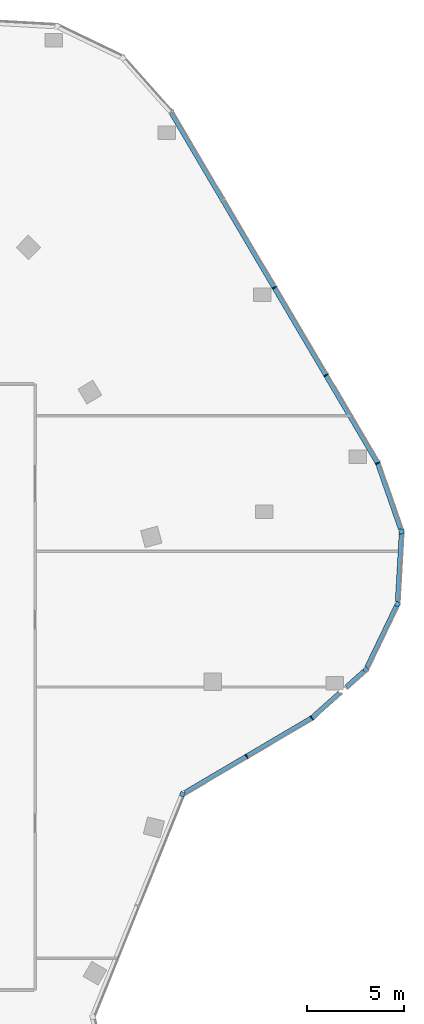
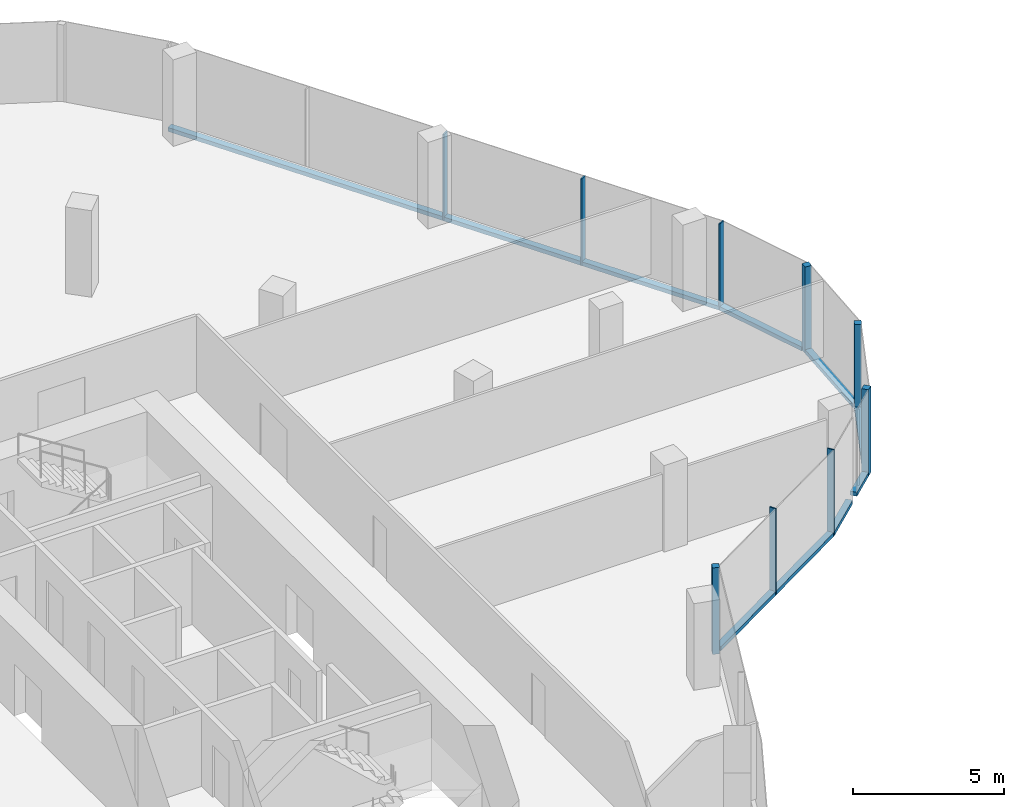
# One storey, part 7 of 15: 16 members, 7 elements without a shape of their own.
"""IFC4 building model written with IfcOpenShell, lengths in metres."""

from ifc_helpers import new_model, si_unit, direction, frame, origin, origin_2d, place, context, subcontext, project, spatial, rectangle, extrude, material, material_profile, profile_set, type_object, element, aggregate, save


model = new_model("IFC4")

# Units and contexts
model_context = context("Model", 3, precision=1e-05, world=origin(), true_north=direction((0.0, 1.0)))
body_context = subcontext(model_context, "Body", "Model", "MODEL_VIEW")
ifc_project = project(units=[si_unit("LENGTHUNIT", "METRE"), si_unit("AREAUNIT", "SQUARE_METRE"), si_unit("VOLUMEUNIT", "CUBIC_METRE"), si_unit("PLANEANGLEUNIT", "RADIAN"), si_unit("MASSUNIT", "GRAM", prefix="KILO")], contexts=[model_context])

# Site, building, storey
site_placement = place(None, origin())
site = spatial("IfcSite", under=ifc_project, at=site_placement, CompositionType="ELEMENT")
building_placement = place(site_placement, origin())
building = spatial("IfcBuilding", under=site, at=building_placement, Name="Orlundy Tower", CompositionType="ELEMENT")
storey_placement = place(building_placement, frame((0.0, 0.0, 278.89990234375)))
storey = spatial("IfcBuildingStorey", under=building, at=storey_placement, Name="L74", CompositionType="ELEMENT", Elevation=278.89990234375)

# Curtain wall, member
ifc_material_1 = material(Name="Aluminium bronze anodised", Category="aluminium")
curtain_wall_type = type_object("IfcCurtainWallType", Name="CW6 wall", PredefinedType="NOTDEFINED", material=ifc_material_1)
curtain_wall_1_placement = place(storey_placement, origin())
curtain_wall_1 = element("IfcCurtainWall", 1, at=curtain_wall_1_placement, inside=storey, type_object=curtain_wall_type, Name="CW6 run 01", PredefinedType="NOTDEFINED")
ifc_material_2 = material(Name="Aluminium bronze anodised", Category="aluminium")
ifc_material_profile_1 = material_profile(ifc_material_2, rectangle(XDim=0.239990234375, YDim=0.239990234375, at=origin_2d()), Name="CW6 corner post 240x240")
ifc_profile_set_1 = profile_set([ifc_material_profile_1], Name="Aluminium bronze anodised")
member_type_1 = type_object("IfcMemberType", Name="CW6 corner post 240x240", PredefinedType="MULLION", material=ifc_profile_set_1)
member_1_placement = place(storey_placement, frame((30.25, -5.53271484375, -0.39990234375), z_axis=(0.0, 0.0, 1.0), x_axis=(0.927195304229, -0.37457825326, 0.0)))
member_1 = element("IfcMember", 2, at=member_1_placement, type_object=member_type_1, Name="CW6 mullion 3", PredefinedType="MULLION", context=body_context, shape_type="SweptSolid", body=[
    extrude(rectangle(XDim=0.239990234375, YDim=0.239990234375, at=origin_2d()), origin(), (0.0, 0.0, 1.0), 3.5),
])
aggregate(curtain_wall_1, [member_1])

curtain_wall_2_placement = place(storey_placement, origin())
curtain_wall_2 = element("IfcCurtainWall", 3, at=curtain_wall_2_placement, inside=storey, type_object=curtain_wall_type, Name="CW6 run 025", PredefinedType="NOTDEFINED")
member_2_placement = place(storey_placement, frame((41.568115234375, 8.026123046875, -0.39990234375), z_axis=(0.0, 0.0, 1.0), x_axis=(0.998394082315, -0.056650299193, 0.0)))
member_2 = element("IfcMember", 4, at=member_2_placement, type_object=member_type_1, Name="CW6 mullion 50", PredefinedType="MULLION", context=body_context, shape_type="SweptSolid", body=[
    extrude(rectangle(XDim=0.239990234375, YDim=0.239990234375, at=origin_2d()), origin(), (0.0, 0.0, 1.0), 3.5),
])

curtain_wall_3_placement = place(storey_placement, origin())
curtain_wall_3 = element("IfcCurtainWall", 5, at=curtain_wall_3_placement, inside=storey, type_object=curtain_wall_type, Name="CW6 run 026", PredefinedType="NOTDEFINED")
member_3_placement = place(storey_placement, frame((41.35546875, 4.27734375, -0.39990234375), z_axis=(0.0, 0.0, 1.0), x_axis=(0.900755489188, -0.434326546158, 0.0)))
member_3 = element("IfcMember", 6, at=member_3_placement, type_object=member_type_1, Name="CW6 mullion 51", PredefinedType="MULLION", context=body_context, shape_type="SweptSolid", body=[
    extrude(rectangle(XDim=0.239990234375, YDim=0.239990234375, at=origin_2d()), origin(), (0.0, 0.0, 1.0), 3.5),
])

curtain_wall_4_placement = place(storey_placement, origin())
curtain_wall_4 = element("IfcCurtainWall", 7, at=curtain_wall_4_placement, inside=storey, type_object=curtain_wall_type, Name="CW6 run 027", PredefinedType="NOTDEFINED")
member_4_placement = place(storey_placement, frame((39.724609375, 0.895263671875, -0.39990234375), z_axis=(0.0, 0.0, 1.0), x_axis=(0.665769138425, -0.746157794518, 0.0)))
member_4 = element("IfcMember", 8, at=member_4_placement, type_object=member_type_1, Name="CW6 mullion 52", PredefinedType="MULLION", context=body_context, shape_type="SweptSolid", body=[
    extrude(rectangle(XDim=0.239990234375, YDim=0.239990234375, at=origin_2d()), origin(), (0.0, 0.0, 1.0), 3.5),
])

# Curtain wall, members
curtain_wall_5_placement = place(storey_placement, origin())
curtain_wall_5 = element("IfcCurtainWall", 9, at=curtain_wall_5_placement, inside=storey, type_object=curtain_wall_type, Name="CW6 run 00", PredefinedType="NOTDEFINED")
ifc_material_3 = material(Name="Aluminium bronze anodised", Category="aluminium")
ifc_material_profile_2 = material_profile(ifc_material_3, rectangle(XDim=0.239990234375, YDim=0.050048828125, at=origin_2d()), Name="CW6 mullion 50x240")
ifc_profile_set_2 = profile_set([ifc_material_profile_2], Name="Aluminium bronze anodised")
member_type_2 = type_object("IfcMemberType", Name="CW6 mullion 50x240", PredefinedType="MULLION", material=ifc_profile_set_2)
member_5_placement = place(storey_placement, frame((36.93212890625, -1.596435546875, -0.39990234375), z_axis=(0.0, 0.0, 1.0), x_axis=(0.58950023819, -0.807768202626, 0.0)))
member_5 = element("IfcMember", 10, at=member_5_placement, type_object=member_type_2, Name="CW6 mullion 1", PredefinedType="MULLION", context=body_context, shape_type="SweptSolid", body=[
    extrude(rectangle(XDim=0.239990234375, YDim=0.050048828125, at=origin_2d()), origin(), (0.0, 0.0, 1.0), 3.5),
])
member_6_placement = place(storey_placement, frame((33.568359375, -3.577880859375, -0.39990234375), z_axis=(0.0, 0.0, 1.0), x_axis=(0.507564597416, -0.861613706628, 0.0)))
member_6 = element("IfcMember", 11, at=member_6_placement, type_object=member_type_2, Name="CW6 mullion 2", PredefinedType="MULLION", context=body_context, shape_type="SweptSolid", body=[
    extrude(rectangle(XDim=0.239990234375, YDim=0.050048828125, at=origin_2d()), origin(), (0.0, 0.0, 1.0), 3.5),
])

curtain_wall_6_placement = place(storey_placement, origin())
curtain_wall_6 = element("IfcCurtainWall", 12, at=curtain_wall_6_placement, inside=storey, type_object=curtain_wall_type, Name="CW6 run 023", PredefinedType="NOTDEFINED")
member_7_placement = place(storey_placement, frame((34.99951171875, 20.615966796875, -0.39990234375), z_axis=(0.0, 0.0, 1.0), x_axis=(0.861632919827, 0.507531980737, 0.0)))
member_7 = element("IfcMember", 13, at=member_7_placement, type_object=member_type_2, Name="CW6 mullion 47", PredefinedType="MULLION", context=body_context, shape_type="SweptSolid", body=[
    extrude(rectangle(XDim=0.239990234375, YDim=0.050048828125, at=origin_2d()), origin(), (0.0, 0.0, 1.0), 3.5),
])
member_8_placement = place(storey_placement, frame((37.663818359375, 16.09228515625, -0.39990234375), z_axis=(0.0, 0.0, 1.0), x_axis=(0.861632919827, 0.507531980737, 0.0)))
member_8 = element("IfcMember", 14, at=member_8_placement, type_object=member_type_2, Name="CW6 mullion 48", PredefinedType="MULLION", context=body_context, shape_type="SweptSolid", body=[
    extrude(rectangle(XDim=0.239990234375, YDim=0.050048828125, at=origin_2d()), origin(), (0.0, 0.0, 1.0), 3.5),
])

# Curtain wall, member
curtain_wall_7_placement = place(storey_placement, origin())
curtain_wall_7 = element("IfcCurtainWall", 15, at=curtain_wall_7_placement, inside=storey, type_object=curtain_wall_type, Name="CW6 run 024", PredefinedType="NOTDEFINED")
member_9_placement = place(storey_placement, frame((40.33447265625, 11.558837890625, -0.39990234375), z_axis=(0.0, 0.0, 1.0), x_axis=(0.907224134583, 0.420647559877, 0.0)))
member_9 = element("IfcMember", 16, at=member_9_placement, type_object=member_type_2, Name="CW6 mullion 49", PredefinedType="MULLION", context=body_context, shape_type="SweptSolid", body=[
    extrude(rectangle(XDim=0.239990234375, YDim=0.050048828125, at=origin_2d()), origin(), (0.0, 0.0, 1.0), 3.5),
])

# Member
ifc_material_4 = material(Name="Aluminium bronze anodised", Category="aluminium")
ifc_material_profile_3 = material_profile(ifc_material_4, rectangle(XDim=0.239990234375, YDim=0.159912109375, at=origin_2d()), Name="CW6 transom 240x160")
ifc_profile_set_3 = profile_set([ifc_material_profile_3], Name="Aluminium bronze anodised")
member_type_3 = type_object("IfcMemberType", Name="CW6 transom 240x160", PredefinedType="USERDEFINED", material=ifc_profile_set_3)
member_10_placement = place(storey_placement, frame((36.910400390625, -1.609130859375, -0.31982421875), z_axis=(-0.861603620196, -0.507581719199, 0.0), x_axis=(0.507581719199, -0.861603620196, 0.0)))
member_10 = element("IfcMember", 17, at=member_10_placement, type_object=member_type_3, Name="CW6 transom", ObjectType="TRANSOM", PredefinedType="USERDEFINED", context=body_context, shape_type="SweptSolid", body=[
    extrude(rectangle(XDim=0.239990234375, YDim=0.159912109375, at=origin_2d()), origin(), (0.0, 0.0, 1.0), 7.578857421875),
])

aggregate(curtain_wall_5, [member_5, member_6, member_10])

member_11_placement = place(storey_placement, frame((29.67724609375, 29.6513671875, -0.31982421875), z_axis=(0.507525200297, -0.861636913708, 0.0), x_axis=(0.861636913708, 0.507525200297, 0.0)))
member_11 = element("IfcMember", 18, at=member_11_placement, type_object=member_type_3, Name="CW6 transom", ObjectType="TRANSOM", PredefinedType="USERDEFINED", context=body_context, shape_type="SweptSolid", body=[
    extrude(rectangle(XDim=0.239990234375, YDim=0.159912109375, at=origin_2d()), origin(), (0.0, 0.0, 1.0), 20.972900390625),
])

aggregate(curtain_wall_6, [member_7, member_8, member_11])

member_12_placement = place(storey_placement, frame((40.3427734375, 11.534912109375, -0.31982421875), z_axis=(0.329713648261, -0.944080987072, 0.0), x_axis=(0.944080987072, 0.329713648261, 0.0)))
member_12 = element("IfcMember", 19, at=member_12_placement, type_object=member_type_3, Name="CW6 transom", ObjectType="TRANSOM", PredefinedType="USERDEFINED", context=body_context, shape_type="SweptSolid", body=[
    extrude(rectangle(XDim=0.239990234375, YDim=0.159912109375, at=origin_2d()), origin(), (0.0, 0.0, 1.0), 3.5869140625),
])

aggregate(curtain_wall_7, [member_9, member_12])

member_13_placement = place(storey_placement, frame((41.561279296875, 7.90625, -0.31982421875), z_axis=(-0.056631219489, -0.998395164741, 0.0), x_axis=(0.998395164741, -0.056631219489, 0.0)))
member_13 = element("IfcMember", 20, at=member_13_placement, type_object=member_type_3, Name="CW6 transom", ObjectType="TRANSOM", PredefinedType="USERDEFINED", context=body_context, shape_type="SweptSolid", body=[
    extrude(rectangle(XDim=0.239990234375, YDim=0.159912109375, at=origin_2d()), origin(), (0.0, 0.0, 1.0), 3.5048828125),
])

aggregate(curtain_wall_2, [member_2, member_13])

member_14_placement = place(storey_placement, frame((41.30322265625, 4.169189453125, -0.31982421875), z_axis=(-0.43429312937, -0.900771601341, 0.0), x_axis=(0.900771601341, -0.43429312937, 0.0)))
member_14 = element("IfcMember", 21, at=member_14_placement, type_object=member_type_3, Name="CW6 transom", ObjectType="TRANSOM", PredefinedType="USERDEFINED", context=body_context, shape_type="SweptSolid", body=[
    extrude(rectangle(XDim=0.239990234375, YDim=0.159912109375, at=origin_2d()), origin(), (0.0, 0.0, 1.0), 3.50439453125),
])

aggregate(curtain_wall_3, [member_3, member_14])

member_15_placement = place(storey_placement, frame((39.63525390625, 0.8154296875, -0.31982421875), z_axis=(-0.746222637186, -0.665696459169, 0.0), x_axis=(0.665696459169, -0.746222637186, 0.0)))
member_15 = element("IfcMember", 22, at=member_15_placement, type_object=member_type_3, Name="CW6 transom", ObjectType="TRANSOM", PredefinedType="USERDEFINED", context=body_context, shape_type="SweptSolid", body=[
    extrude(rectangle(XDim=0.239990234375, YDim=0.159912109375, at=origin_2d()), origin(), (0.0, 0.0, 1.0), 1.2158203125),
])

member_16_placement = place(storey_placement, frame((38.37939453125, -0.304931640625, -0.31982421875), z_axis=(-0.746134478981, -0.665795268289, 0.0), x_axis=(0.665795268289, -0.746134478981, 0.0)))
member_16 = element("IfcMember", 23, at=member_16_placement, type_object=member_type_3, Name="CW6 transom", ObjectType="TRANSOM", PredefinedType="USERDEFINED", context=body_context, shape_type="SweptSolid", body=[
    extrude(rectangle(XDim=0.239990234375, YDim=0.159912109375, at=origin_2d()), origin(), (0.0, 0.0, 1.0), 1.91455078125),
])

aggregate(curtain_wall_4, [member_4, member_15, member_16])

save(model, "model.ifc")
